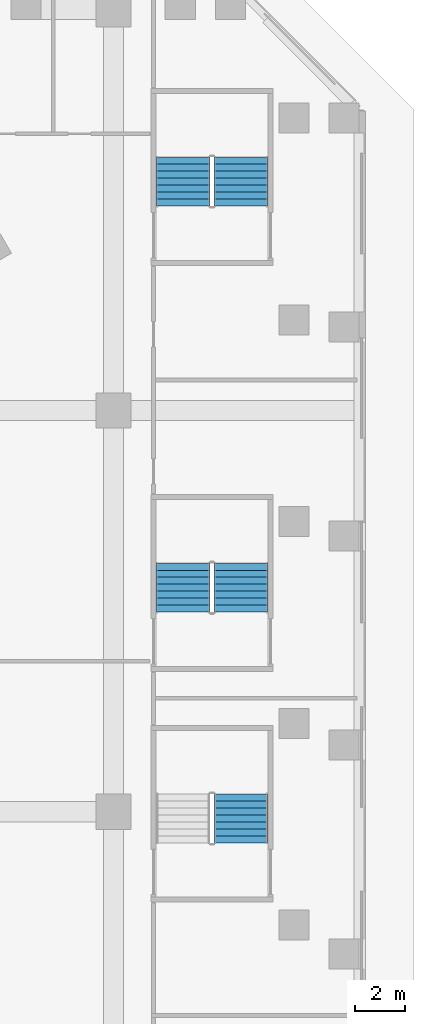
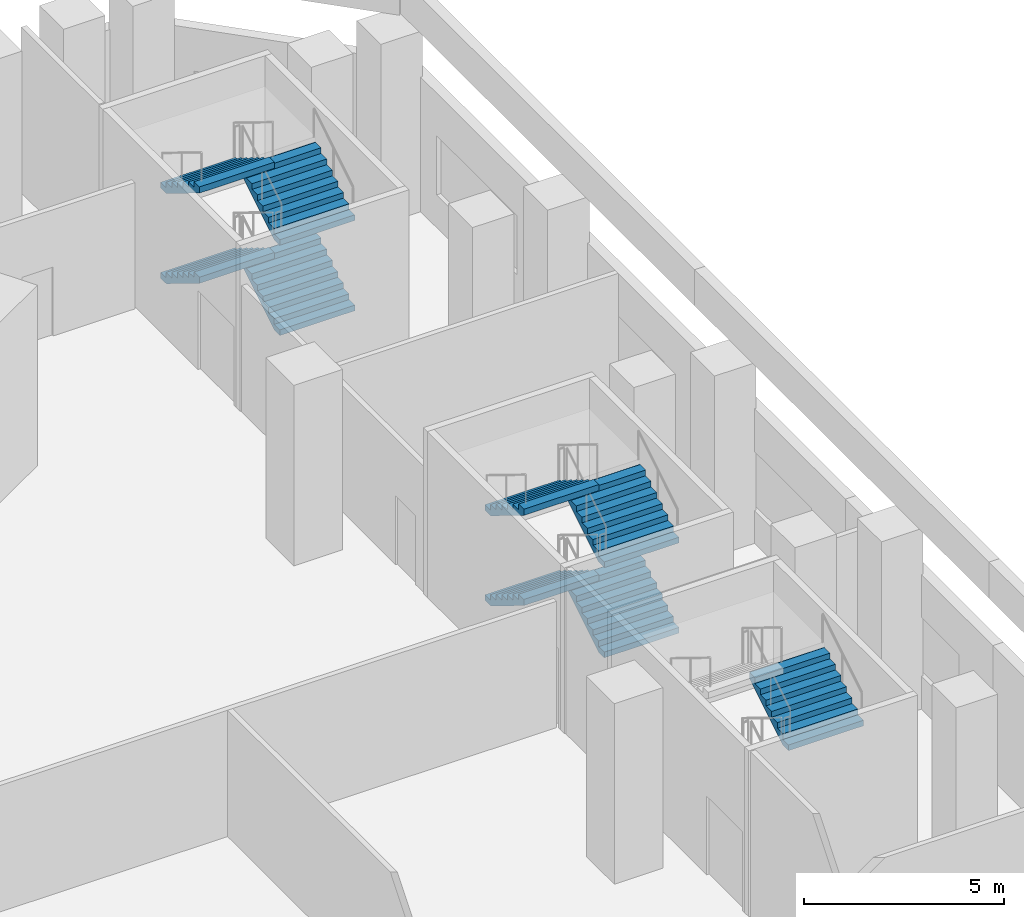
# One storey, part 17 of 22: 9 stair flights, 3 elements without a shape of their own.
"""IFC4 building model written with IfcOpenShell, lengths in metres."""

from ifc_helpers import new_model, si_unit, direction, frame, origin, place, context, subcontext, project, spatial, faceted_brep, source, transform, mapped, material, type_object, element, aggregate, save


model = new_model("IFC4")

# Units and contexts
model_context = context("Model", 3, precision=1e-05, world=origin(), true_north=direction((0.0, 1.0)))
body_context = subcontext(model_context, "Body", "Model", "MODEL_VIEW")
ifc_project = project(units=[si_unit("LENGTHUNIT", "METRE"), si_unit("AREAUNIT", "SQUARE_METRE"), si_unit("VOLUMEUNIT", "CUBIC_METRE"), si_unit("PLANEANGLEUNIT", "RADIAN"), si_unit("MASSUNIT", "GRAM", prefix="KILO")], contexts=[model_context])

# Site, building, storey
site_placement = place(None, origin())
site = spatial("IfcSite", under=ifc_project, at=site_placement, CompositionType="ELEMENT")
building_placement = place(site_placement, origin())
building = spatial("IfcBuilding", under=site, at=building_placement, Name="Calabash Gate Tower", CompositionType="ELEMENT")
storey_placement = place(building_placement, frame((0.0, 0.0, 34.5)))
storey = spatial("IfcBuildingStorey", under=building, at=storey_placement, Name="L04", CompositionType="ELEMENT", Elevation=34.5)

# Stair, stair flight
ifc_material_1 = material(Name="Concrete C40/50", Category="concrete")
stair_type = type_object("IfcStairType", Name="Public stair 32 risers of 171.9 mm", PredefinedType="HALF_TURN_STAIR", material=ifc_material_1)
stair_1_placement = place(storey_placement, origin())
stair_1 = element("IfcStair", 1, at=stair_1_placement, inside=storey, type_object=stair_type, Name="L04 Public Stair PS8", PredefinedType="HALF_TURN_STAIR")
ifc_material_2 = material(Name="Concrete C40/50", Category="concrete")
stair_flight_type = type_object("IfcStairFlightType", Name="Exit stair flight SFL", PredefinedType="STRAIGHT", material=ifc_material_2)
shared_shape = source(origin(), body_context, "Body", "Brep", [
    faceted_brep([(-0.0009765625, -1.080078125, 0.0), (0.285888671875, -1.080078125, 0.0), (1.9541015625, -1.080078125, 1.027099609375), (-0.0009765625, 1.080078125, 0.0), (1.9541015625, 1.080078125, 1.027099609375), (0.285888671875, 1.080078125, 0.0), (1.9541015625, -1.080078125, 1.215087890625), (1.952880859375, -1.080078125, 1.215087890625), (1.952880859375, 1.080078125, 1.215087890625), (1.9541015625, 1.080078125, 1.215087890625), (1.952880859375, -1.080078125, 1.203125), (1.952880859375, 1.080078125, 1.203125), (1.674072265625, -1.080078125, 1.203125), (1.674072265625, 1.080078125, 1.203125), (1.674072265625, -1.080078125, 1.03125), (1.674072265625, 1.080078125, 1.03125), (1.39501953125, -1.080078125, 1.03125), (1.39501953125, 1.080078125, 1.03125), (1.39501953125, -1.080078125, 0.859375), (1.39501953125, 1.080078125, 0.859375), (1.115966796875, -1.080078125, 0.859375), (1.115966796875, -1.080078125, 0.6875), (1.115966796875, 1.080078125, 0.6875), (1.115966796875, 1.080078125, 0.859375), (0.8369140625, -1.080078125, 0.6875), (0.8369140625, -1.080078125, 0.515625), (0.8369140625, 1.080078125, 0.515625), (0.8369140625, 1.080078125, 0.6875), (0.55810546875, -1.080078125, 0.515625), (0.55810546875, -1.080078125, 0.34375), (0.55810546875, 1.080078125, 0.34375), (0.55810546875, 1.080078125, 0.515625), (0.279052734375, -1.080078125, 0.34375), (0.279052734375, -1.080078125, 0.171875), (0.279052734375, 1.080078125, 0.171875), (0.279052734375, 1.080078125, 0.34375), (-0.0009765625, -1.080078125, 0.171875), (-0.0009765625, 1.080078125, 0.171875), (0.285888671875, -0.431884765625, 0.0), (1.9541015625, -0.431884765625, 1.027099609375), (0.285888671875, -0.370361328125, 0.0), (1.9541015625, -0.370361328125, 1.027099609375), (0.285888671875, -0.30859375, 0.0), (1.9541015625, -0.30859375, 1.027099609375), (0.285888671875, -0.246826171875, 0.0), (1.9541015625, -0.246826171875, 1.027099609375), (0.285888671875, -0.18505859375, 0.0), (1.9541015625, -0.18505859375, 1.027099609375), (0.285888671875, -0.12353515625, 0.0), (1.9541015625, -0.12353515625, 1.027099609375), (0.285888671875, -0.061767578125, 0.0), (1.9541015625, -0.061767578125, 1.027099609375), (0.285888671875, 0.0, 0.0), (1.9541015625, 0.0, 1.027099609375), (0.285888671875, 0.061767578125, 0.0), (1.9541015625, 0.061767578125, 1.027099609375), (0.285888671875, 0.12353515625, 0.0), (1.9541015625, 0.12353515625, 1.027099609375), (0.285888671875, 0.18505859375, 0.0), (1.9541015625, 0.18505859375, 1.027099609375), (0.285888671875, 0.246826171875, 0.0), (1.9541015625, 0.246826171875, 1.027099609375), (0.285888671875, 0.30859375, 0.0), (1.9541015625, 0.30859375, 1.027099609375), (0.285888671875, 0.370361328125, 0.0), (1.9541015625, 0.370361328125, 1.027099609375), (0.285888671875, 0.431884765625, 0.0), (1.9541015625, 0.431884765625, 1.027099609375), (1.9541015625, -0.431884765625, 1.215087890625), (1.9541015625, -0.370361328125, 1.215087890625), (1.9541015625, -0.30859375, 1.215087890625), (1.9541015625, -0.246826171875, 1.215087890625), (1.9541015625, -0.18505859375, 1.215087890625), (1.9541015625, -0.12353515625, 1.215087890625), (1.9541015625, -0.061767578125, 1.215087890625), (1.9541015625, 0.0, 1.215087890625), (1.9541015625, 0.061767578125, 1.215087890625), (1.9541015625, 0.12353515625, 1.215087890625), (1.9541015625, 0.18505859375, 1.215087890625), (1.9541015625, 0.246826171875, 1.215087890625), (1.9541015625, 0.30859375, 1.215087890625), (1.9541015625, 0.370361328125, 1.215087890625), (1.9541015625, 0.431884765625, 1.215087890625), (1.952880859375, -0.431884765625, 1.215087890625), (1.952880859375, -0.370361328125, 1.215087890625), (1.952880859375, -0.30859375, 1.215087890625), (1.952880859375, -0.246826171875, 1.215087890625), (1.952880859375, -0.18505859375, 1.215087890625), (1.952880859375, -0.12353515625, 1.215087890625), (1.952880859375, -0.061767578125, 1.215087890625), (1.952880859375, 0.0, 1.215087890625), (1.952880859375, 0.061767578125, 1.215087890625), (1.952880859375, 0.12353515625, 1.215087890625), (1.952880859375, 0.18505859375, 1.215087890625), (1.952880859375, 0.246826171875, 1.215087890625), (1.952880859375, 0.30859375, 1.215087890625), (1.952880859375, 0.370361328125, 1.215087890625), (1.952880859375, 0.431884765625, 1.215087890625), (1.952880859375, -0.431884765625, 1.203125), (1.952880859375, -0.370361328125, 1.203125), (1.952880859375, -0.30859375, 1.203125), (1.952880859375, -0.246826171875, 1.203125), (1.952880859375, -0.18505859375, 1.203125), (1.952880859375, -0.12353515625, 1.203125), (1.952880859375, -0.061767578125, 1.203125), (1.952880859375, 0.0, 1.203125), (1.952880859375, 0.061767578125, 1.203125), (1.952880859375, 0.12353515625, 1.203125), (1.952880859375, 0.18505859375, 1.203125), (1.952880859375, 0.246826171875, 1.203125), (1.952880859375, 0.30859375, 1.203125), (1.952880859375, 0.370361328125, 1.203125), (1.952880859375, 0.431884765625, 1.203125), (1.674072265625, -0.431884765625, 1.203125), (1.674072265625, -0.370361328125, 1.203125), (1.674072265625, -0.30859375, 1.203125), (1.674072265625, -0.246826171875, 1.203125), (1.674072265625, -0.18505859375, 1.203125), (1.674072265625, -0.12353515625, 1.203125), (1.674072265625, -0.061767578125, 1.203125), (1.674072265625, 0.0, 1.203125), (1.674072265625, 0.061767578125, 1.203125), (1.674072265625, 0.12353515625, 1.203125), (1.674072265625, 0.18505859375, 1.203125), (1.674072265625, 0.246826171875, 1.203125), (1.674072265625, 0.30859375, 1.203125), (1.674072265625, 0.370361328125, 1.203125), (1.674072265625, 0.431884765625, 1.203125), (1.674072265625, -0.431884765625, 1.03125), (1.674072265625, -0.370361328125, 1.03125), (1.674072265625, -0.30859375, 1.03125), (1.674072265625, -0.246826171875, 1.03125), (1.674072265625, -0.18505859375, 1.03125), (1.674072265625, -0.12353515625, 1.03125), (1.674072265625, -0.061767578125, 1.03125), (1.674072265625, 0.0, 1.03125), (1.674072265625, 0.061767578125, 1.03125), (1.674072265625, 0.12353515625, 1.03125), (1.674072265625, 0.18505859375, 1.03125), (1.674072265625, 0.246826171875, 1.03125), (1.674072265625, 0.30859375, 1.03125), (1.674072265625, 0.370361328125, 1.03125), (1.674072265625, 0.431884765625, 1.03125), (1.39501953125, -0.431884765625, 1.03125), (1.39501953125, -0.370361328125, 1.03125), (1.39501953125, -0.30859375, 1.03125), (1.39501953125, -0.246826171875, 1.03125), (1.39501953125, -0.18505859375, 1.03125), (1.39501953125, -0.12353515625, 1.03125), (1.39501953125, -0.061767578125, 1.03125), (1.39501953125, 0.0, 1.03125), (1.39501953125, 0.061767578125, 1.03125), (1.39501953125, 0.12353515625, 1.03125), (1.39501953125, 0.18505859375, 1.03125), (1.39501953125, 0.246826171875, 1.03125), (1.39501953125, 0.30859375, 1.03125), (1.39501953125, 0.370361328125, 1.03125), (1.39501953125, 0.431884765625, 1.03125), (1.39501953125, -0.431884765625, 0.859375), (1.39501953125, -0.370361328125, 0.859375), (1.39501953125, -0.30859375, 0.859375), (1.39501953125, -0.246826171875, 0.859375), (1.39501953125, -0.18505859375, 0.859375), (1.39501953125, -0.12353515625, 0.859375), (1.39501953125, -0.061767578125, 0.859375), (1.39501953125, 0.0, 0.859375), (1.39501953125, 0.061767578125, 0.859375), (1.39501953125, 0.12353515625, 0.859375), (1.39501953125, 0.18505859375, 0.859375), (1.39501953125, 0.246826171875, 0.859375), (1.39501953125, 0.30859375, 0.859375), (1.39501953125, 0.370361328125, 0.859375), (1.39501953125, 0.431884765625, 0.859375), (1.115966796875, -0.431884765625, 0.859375), (1.115966796875, -0.370361328125, 0.859375), (1.115966796875, -0.30859375, 0.859375), (1.115966796875, -0.246826171875, 0.859375), (1.115966796875, -0.18505859375, 0.859375), (1.115966796875, -0.12353515625, 0.859375), (1.115966796875, -0.061767578125, 0.859375), (1.115966796875, 0.0, 0.859375), (1.115966796875, 0.061767578125, 0.859375), (1.115966796875, 0.12353515625, 0.859375), (1.115966796875, 0.18505859375, 0.859375), (1.115966796875, 0.246826171875, 0.859375), (1.115966796875, 0.30859375, 0.859375), (1.115966796875, 0.370361328125, 0.859375), (1.115966796875, 0.431884765625, 0.859375), (1.115966796875, -0.431884765625, 0.6875), (1.115966796875, -0.370361328125, 0.6875), (1.115966796875, -0.30859375, 0.6875), (1.115966796875, -0.246826171875, 0.6875), (1.115966796875, -0.18505859375, 0.6875), (1.115966796875, -0.12353515625, 0.6875), (1.115966796875, -0.061767578125, 0.6875), (1.115966796875, 0.0, 0.6875), (1.115966796875, 0.061767578125, 0.6875), (1.115966796875, 0.12353515625, 0.6875), (1.115966796875, 0.18505859375, 0.6875), (1.115966796875, 0.246826171875, 0.6875), (1.115966796875, 0.30859375, 0.6875), (1.115966796875, 0.370361328125, 0.6875), (1.115966796875, 0.431884765625, 0.6875), (0.8369140625, -0.431884765625, 0.6875), (0.8369140625, -0.370361328125, 0.6875), (0.8369140625, -0.30859375, 0.6875), (0.8369140625, -0.246826171875, 0.6875), (0.8369140625, -0.18505859375, 0.6875), (0.8369140625, -0.12353515625, 0.6875), (0.8369140625, -0.061767578125, 0.6875), (0.8369140625, 0.0, 0.6875), (0.8369140625, 0.061767578125, 0.6875), (0.8369140625, 0.12353515625, 0.6875), (0.8369140625, 0.18505859375, 0.6875), (0.8369140625, 0.246826171875, 0.6875), (0.8369140625, 0.30859375, 0.6875), (0.8369140625, 0.370361328125, 0.6875), (0.8369140625, 0.431884765625, 0.6875), (0.8369140625, -0.431884765625, 0.515625), (0.8369140625, -0.370361328125, 0.515625), (0.8369140625, -0.30859375, 0.515625), (0.8369140625, -0.246826171875, 0.515625), (0.8369140625, -0.18505859375, 0.515625), (0.8369140625, -0.12353515625, 0.515625), (0.8369140625, -0.061767578125, 0.515625), (0.8369140625, 0.0, 0.515625), (0.8369140625, 0.061767578125, 0.515625), (0.8369140625, 0.12353515625, 0.515625), (0.8369140625, 0.18505859375, 0.515625), (0.8369140625, 0.246826171875, 0.515625), (0.8369140625, 0.30859375, 0.515625), (0.8369140625, 0.370361328125, 0.515625), (0.8369140625, 0.431884765625, 0.515625), (0.55810546875, -0.431884765625, 0.515625), (0.55810546875, -0.370361328125, 0.515625), (0.55810546875, -0.30859375, 0.515625), (0.55810546875, -0.246826171875, 0.515625), (0.55810546875, -0.18505859375, 0.515625), (0.55810546875, -0.12353515625, 0.515625), (0.55810546875, -0.061767578125, 0.515625), (0.55810546875, 0.0, 0.515625), (0.55810546875, 0.061767578125, 0.515625), (0.55810546875, 0.12353515625, 0.515625), (0.55810546875, 0.18505859375, 0.515625), (0.55810546875, 0.246826171875, 0.515625), (0.55810546875, 0.30859375, 0.515625), (0.55810546875, 0.370361328125, 0.515625), (0.55810546875, 0.431884765625, 0.515625), (0.55810546875, -0.431884765625, 0.34375), (0.55810546875, -0.370361328125, 0.34375), (0.55810546875, -0.30859375, 0.34375), (0.55810546875, -0.246826171875, 0.34375), (0.55810546875, -0.18505859375, 0.34375), (0.55810546875, -0.12353515625, 0.34375), (0.55810546875, -0.061767578125, 0.34375), (0.55810546875, 0.0, 0.34375), (0.55810546875, 0.061767578125, 0.34375), (0.55810546875, 0.12353515625, 0.34375), (0.55810546875, 0.18505859375, 0.34375), (0.55810546875, 0.246826171875, 0.34375), (0.55810546875, 0.30859375, 0.34375), (0.55810546875, 0.370361328125, 0.34375), (0.55810546875, 0.431884765625, 0.34375), (0.279052734375, -0.431884765625, 0.34375), (0.279052734375, -0.370361328125, 0.34375), (0.279052734375, -0.30859375, 0.34375), (0.279052734375, -0.246826171875, 0.34375), (0.279052734375, -0.18505859375, 0.34375), (0.279052734375, -0.12353515625, 0.34375), (0.279052734375, -0.061767578125, 0.34375), (0.279052734375, 0.0, 0.34375), (0.279052734375, 0.061767578125, 0.34375), (0.279052734375, 0.12353515625, 0.34375), (0.279052734375, 0.18505859375, 0.34375), (0.279052734375, 0.246826171875, 0.34375), (0.279052734375, 0.30859375, 0.34375), (0.279052734375, 0.370361328125, 0.34375), (0.279052734375, 0.431884765625, 0.34375), (0.279052734375, -0.431884765625, 0.171875), (0.279052734375, -0.370361328125, 0.171875), (0.279052734375, -0.30859375, 0.171875), (0.279052734375, -0.246826171875, 0.171875), (0.279052734375, -0.18505859375, 0.171875), (0.279052734375, -0.12353515625, 0.171875), (0.279052734375, -0.061767578125, 0.171875), (0.279052734375, 0.0, 0.171875), (0.279052734375, 0.061767578125, 0.171875), (0.279052734375, 0.12353515625, 0.171875), (0.279052734375, 0.18505859375, 0.171875), (0.279052734375, 0.246826171875, 0.171875), (0.279052734375, 0.30859375, 0.171875), (0.279052734375, 0.370361328125, 0.171875), (0.279052734375, 0.431884765625, 0.171875), (-0.0009765625, -0.431884765625, 0.171875), (-0.0009765625, -0.370361328125, 0.171875), (-0.0009765625, -0.30859375, 0.171875), (-0.0009765625, -0.246826171875, 0.171875), (-0.0009765625, -0.18505859375, 0.171875), (-0.0009765625, -0.12353515625, 0.171875), (-0.0009765625, -0.061767578125, 0.171875), (-0.0009765625, 0.0, 0.171875), (-0.0009765625, 0.061767578125, 0.171875), (-0.0009765625, 0.12353515625, 0.171875), (-0.0009765625, 0.18505859375, 0.171875), (-0.0009765625, 0.246826171875, 0.171875), (-0.0009765625, 0.30859375, 0.171875), (-0.0009765625, 0.370361328125, 0.171875), (-0.0009765625, 0.431884765625, 0.171875), (-0.0009765625, -0.431884765625, 0.0), (-0.0009765625, -0.370361328125, 0.0), (-0.0009765625, -0.30859375, 0.0), (-0.0009765625, -0.246826171875, 0.0), (-0.0009765625, -0.18505859375, 0.0), (-0.0009765625, -0.12353515625, 0.0), (-0.0009765625, -0.061767578125, 0.0), (-0.0009765625, 0.0, 0.0), (-0.0009765625, 0.061767578125, 0.0), (-0.0009765625, 0.12353515625, 0.0), (-0.0009765625, 0.18505859375, 0.0), (-0.0009765625, 0.246826171875, 0.0), (-0.0009765625, 0.30859375, 0.0), (-0.0009765625, 0.370361328125, 0.0), (-0.0009765625, 0.431884765625, 0.0)], [[[0, 1, 2]], [[3, 4, 5]], [[2, 6, 7]], [[4, 8, 9]], [[2, 7, 10]], [[4, 11, 8]], [[2, 10, 12]], [[4, 13, 11]], [[2, 12, 14]], [[4, 15, 13]], [[2, 14, 16]], [[4, 17, 15]], [[2, 16, 18]], [[4, 19, 17]], [[18, 20, 21]], [[19, 22, 23]], [[2, 18, 21]], [[4, 22, 19]], [[21, 24, 25]], [[22, 26, 27]], [[2, 21, 25]], [[4, 26, 22]], [[25, 28, 29]], [[26, 30, 31]], [[2, 25, 29]], [[4, 30, 26]], [[29, 32, 33]], [[30, 34, 35]], [[2, 29, 33]], [[4, 34, 30]], [[0, 2, 33]], [[3, 34, 4]], [[33, 36, 0]], [[34, 3, 37]], [[1, 38, 2]], [[38, 39, 2]], [[38, 40, 39]], [[40, 41, 39]], [[40, 42, 41]], [[42, 43, 41]], [[42, 44, 43]], [[44, 45, 43]], [[44, 46, 45]], [[46, 47, 45]], [[46, 48, 47]], [[48, 49, 47]], [[48, 50, 49]], [[50, 51, 49]], [[50, 52, 51]], [[52, 53, 51]], [[52, 54, 55]], [[52, 55, 53]], [[54, 56, 57]], [[54, 57, 55]], [[56, 58, 59]], [[56, 59, 57]], [[58, 60, 61]], [[58, 61, 59]], [[60, 62, 63]], [[60, 63, 61]], [[62, 64, 65]], [[62, 65, 63]], [[64, 66, 67]], [[64, 67, 65]], [[66, 5, 4]], [[66, 4, 67]], [[2, 39, 6]], [[39, 68, 6]], [[39, 41, 68]], [[41, 69, 68]], [[41, 43, 69]], [[43, 70, 69]], [[43, 45, 70]], [[45, 71, 70]], [[45, 47, 71]], [[47, 72, 71]], [[47, 49, 72]], [[49, 73, 72]], [[49, 51, 73]], [[51, 74, 73]], [[51, 53, 74]], [[53, 75, 74]], [[53, 55, 76]], [[53, 76, 75]], [[55, 57, 77]], [[55, 77, 76]], [[57, 59, 78]], [[57, 78, 77]], [[59, 61, 79]], [[59, 79, 78]], [[61, 63, 80]], [[61, 80, 79]], [[63, 65, 81]], [[63, 81, 80]], [[65, 67, 82]], [[65, 82, 81]], [[67, 4, 9]], [[67, 9, 82]], [[6, 68, 7]], [[68, 83, 7]], [[68, 69, 83]], [[69, 84, 83]], [[69, 70, 84]], [[70, 85, 84]], [[70, 71, 85]], [[71, 86, 85]], [[71, 72, 86]], [[72, 87, 86]], [[72, 73, 87]], [[73, 88, 87]], [[73, 74, 88]], [[74, 89, 88]], [[74, 75, 89]], [[75, 90, 89]], [[75, 76, 91]], [[75, 91, 90]], [[76, 77, 92]], [[76, 92, 91]], [[77, 78, 93]], [[77, 93, 92]], [[78, 79, 94]], [[78, 94, 93]], [[79, 80, 95]], [[79, 95, 94]], [[80, 81, 96]], [[80, 96, 95]], [[81, 82, 97]], [[81, 97, 96]], [[82, 9, 8]], [[82, 8, 97]], [[7, 83, 10]], [[83, 98, 10]], [[83, 84, 98]], [[84, 99, 98]], [[84, 85, 99]], [[85, 100, 99]], [[85, 86, 100]], [[86, 101, 100]], [[86, 87, 101]], [[87, 102, 101]], [[87, 88, 102]], [[88, 103, 102]], [[88, 89, 103]], [[89, 104, 103]], [[89, 90, 104]], [[90, 105, 104]], [[90, 91, 106]], [[90, 106, 105]], [[91, 92, 107]], [[91, 107, 106]], [[92, 93, 108]], [[92, 108, 107]], [[93, 94, 109]], [[93, 109, 108]], [[94, 95, 110]], [[94, 110, 109]], [[95, 96, 111]], [[95, 111, 110]], [[96, 97, 112]], [[96, 112, 111]], [[97, 8, 11]], [[97, 11, 112]], [[10, 98, 12]], [[98, 113, 12]], [[98, 99, 113]], [[99, 114, 113]], [[99, 100, 114]], [[100, 115, 114]], [[100, 101, 115]], [[101, 116, 115]], [[101, 102, 116]], [[102, 117, 116]], [[102, 103, 117]], [[103, 118, 117]], [[103, 104, 118]], [[104, 119, 118]], [[104, 105, 119]], [[105, 120, 119]], [[105, 106, 121]], [[105, 121, 120]], [[106, 107, 122]], [[106, 122, 121]], [[107, 108, 123]], [[107, 123, 122]], [[108, 109, 124]], [[108, 124, 123]], [[109, 110, 125]], [[109, 125, 124]], [[110, 111, 126]], [[110, 126, 125]], [[111, 112, 127]], [[111, 127, 126]], [[112, 11, 13]], [[112, 13, 127]], [[12, 113, 14]], [[113, 128, 14]], [[113, 114, 128]], [[114, 129, 128]], [[114, 115, 129]], [[115, 130, 129]], [[115, 116, 130]], [[116, 131, 130]], [[116, 117, 131]], [[117, 132, 131]], [[117, 118, 132]], [[118, 133, 132]], [[118, 119, 133]], [[119, 134, 133]], [[119, 120, 134]], [[120, 135, 134]], [[120, 121, 136]], [[120, 136, 135]], [[121, 122, 137]], [[121, 137, 136]], [[122, 123, 138]], [[122, 138, 137]], [[123, 124, 139]], [[123, 139, 138]], [[124, 125, 140]], [[124, 140, 139]], [[125, 126, 141]], [[125, 141, 140]], [[126, 127, 142]], [[126, 142, 141]], [[127, 13, 15]], [[127, 15, 142]], [[14, 128, 16]], [[128, 143, 16]], [[128, 129, 143]], [[129, 144, 143]], [[129, 130, 144]], [[130, 145, 144]], [[130, 131, 145]], [[131, 146, 145]], [[131, 132, 146]], [[132, 147, 146]], [[132, 133, 147]], [[133, 148, 147]], [[133, 134, 148]], [[134, 149, 148]], [[134, 135, 149]], [[135, 150, 149]], [[135, 136, 151]], [[135, 151, 150]], [[136, 137, 152]], [[136, 152, 151]], [[137, 138, 153]], [[137, 153, 152]], [[138, 139, 154]], [[138, 154, 153]], [[139, 140, 155]], [[139, 155, 154]], [[140, 141, 156]], [[140, 156, 155]], [[141, 142, 157]], [[141, 157, 156]], [[142, 15, 17]], [[142, 17, 157]], [[16, 143, 18]], [[143, 158, 18]], [[143, 144, 158]], [[144, 159, 158]], [[144, 145, 159]], [[145, 160, 159]], [[145, 146, 160]], [[146, 161, 160]], [[146, 147, 161]], [[147, 162, 161]], [[147, 148, 162]], [[148, 163, 162]], [[148, 149, 163]], [[149, 164, 163]], [[149, 150, 164]], [[150, 165, 164]], [[150, 151, 166]], [[150, 166, 165]], [[151, 152, 167]], [[151, 167, 166]], [[152, 153, 168]], [[152, 168, 167]], [[153, 154, 169]], [[153, 169, 168]], [[154, 155, 170]], [[154, 170, 169]], [[155, 156, 171]], [[155, 171, 170]], [[156, 157, 172]], [[156, 172, 171]], [[157, 17, 19]], [[157, 19, 172]], [[18, 158, 20]], [[158, 173, 20]], [[158, 159, 173]], [[159, 174, 173]], [[159, 160, 174]], [[160, 175, 174]], [[160, 161, 175]], [[161, 176, 175]], [[161, 162, 176]], [[162, 177, 176]], [[162, 163, 177]], [[163, 178, 177]], [[163, 164, 178]], [[164, 179, 178]], [[164, 165, 179]], [[165, 180, 179]], [[165, 166, 181]], [[165, 181, 180]], [[166, 167, 182]], [[166, 182, 181]], [[167, 168, 183]], [[167, 183, 182]], [[168, 169, 184]], [[168, 184, 183]], [[169, 170, 185]], [[169, 185, 184]], [[170, 171, 186]], [[170, 186, 185]], [[171, 172, 187]], [[171, 187, 186]], [[172, 19, 23]], [[172, 23, 187]], [[20, 173, 21]], [[173, 188, 21]], [[173, 174, 188]], [[174, 189, 188]], [[174, 175, 189]], [[175, 190, 189]], [[175, 176, 190]], [[176, 191, 190]], [[176, 177, 191]], [[177, 192, 191]], [[177, 178, 192]], [[178, 193, 192]], [[178, 179, 193]], [[179, 194, 193]], [[179, 180, 194]], [[180, 195, 194]], [[180, 181, 196]], [[180, 196, 195]], [[181, 182, 197]], [[181, 197, 196]], [[182, 183, 198]], [[182, 198, 197]], [[183, 184, 199]], [[183, 199, 198]], [[184, 185, 200]], [[184, 200, 199]], [[185, 186, 201]], [[185, 201, 200]], [[186, 187, 202]], [[186, 202, 201]], [[187, 23, 22]], [[187, 22, 202]], [[21, 188, 24]], [[188, 203, 24]], [[188, 189, 203]], [[189, 204, 203]], [[189, 190, 204]], [[190, 205, 204]], [[190, 191, 205]], [[191, 206, 205]], [[191, 192, 206]], [[192, 207, 206]], [[192, 193, 207]], [[193, 208, 207]], [[193, 194, 208]], [[194, 209, 208]], [[194, 195, 209]], [[195, 210, 209]], [[195, 196, 211]], [[195, 211, 210]], [[196, 197, 212]], [[196, 212, 211]], [[197, 198, 213]], [[197, 213, 212]], [[198, 199, 214]], [[198, 214, 213]], [[199, 200, 215]], [[199, 215, 214]], [[200, 201, 216]], [[200, 216, 215]], [[201, 202, 217]], [[201, 217, 216]], [[202, 22, 27]], [[202, 27, 217]], [[24, 203, 25]], [[203, 218, 25]], [[203, 204, 218]], [[204, 219, 218]], [[204, 205, 219]], [[205, 220, 219]], [[205, 206, 220]], [[206, 221, 220]], [[206, 207, 221]], [[207, 222, 221]], [[207, 208, 222]], [[208, 223, 222]], [[208, 209, 223]], [[209, 224, 223]], [[209, 210, 224]], [[210, 225, 224]], [[210, 211, 226]], [[210, 226, 225]], [[211, 212, 227]], [[211, 227, 226]], [[212, 213, 228]], [[212, 228, 227]], [[213, 214, 229]], [[213, 229, 228]], [[214, 215, 230]], [[214, 230, 229]], [[215, 216, 231]], [[215, 231, 230]], [[216, 217, 232]], [[216, 232, 231]], [[217, 27, 26]], [[217, 26, 232]], [[25, 218, 28]], [[218, 233, 28]], [[218, 219, 233]], [[219, 234, 233]], [[219, 220, 234]], [[220, 235, 234]], [[220, 221, 235]], [[221, 236, 235]], [[221, 222, 236]], [[222, 237, 236]], [[222, 223, 237]], [[223, 238, 237]], [[223, 224, 238]], [[224, 239, 238]], [[224, 225, 239]], [[225, 240, 239]], [[225, 226, 241]], [[225, 241, 240]], [[226, 227, 242]], [[226, 242, 241]], [[227, 228, 243]], [[227, 243, 242]], [[228, 229, 244]], [[228, 244, 243]], [[229, 230, 245]], [[229, 245, 244]], [[230, 231, 246]], [[230, 246, 245]], [[231, 232, 247]], [[231, 247, 246]], [[232, 26, 31]], [[232, 31, 247]], [[28, 233, 29]], [[233, 248, 29]], [[233, 234, 248]], [[234, 249, 248]], [[234, 235, 249]], [[235, 250, 249]], [[235, 236, 250]], [[236, 251, 250]], [[236, 237, 251]], [[237, 252, 251]], [[237, 238, 252]], [[238, 253, 252]], [[238, 239, 253]], [[239, 254, 253]], [[239, 240, 254]], [[240, 255, 254]], [[240, 241, 256]], [[240, 256, 255]], [[241, 242, 257]], [[241, 257, 256]], [[242, 243, 258]], [[242, 258, 257]], [[243, 244, 259]], [[243, 259, 258]], [[244, 245, 260]], [[244, 260, 259]], [[245, 246, 261]], [[245, 261, 260]], [[246, 247, 262]], [[246, 262, 261]], [[247, 31, 30]], [[247, 30, 262]], [[29, 248, 32]], [[248, 263, 32]], [[248, 249, 263]], [[249, 264, 263]], [[249, 250, 264]], [[250, 265, 264]], [[250, 251, 265]], [[251, 266, 265]], [[251, 252, 266]], [[252, 267, 266]], [[252, 253, 267]], [[253, 268, 267]], [[253, 254, 268]], [[254, 269, 268]], [[254, 255, 269]], [[255, 270, 269]], [[255, 256, 271]], [[255, 271, 270]], [[256, 257, 272]], [[256, 272, 271]], [[257, 258, 273]], [[257, 273, 272]], [[258, 259, 274]], [[258, 274, 273]], [[259, 260, 275]], [[259, 275, 274]], [[260, 261, 276]], [[260, 276, 275]], [[261, 262, 277]], [[261, 277, 276]], [[262, 30, 35]], [[262, 35, 277]], [[32, 263, 33]], [[263, 278, 33]], [[263, 264, 278]], [[264, 279, 278]], [[264, 265, 279]], [[265, 280, 279]], [[265, 266, 280]], [[266, 281, 280]], [[266, 267, 281]], [[267, 282, 281]], [[267, 268, 282]], [[268, 283, 282]], [[268, 269, 283]], [[269, 284, 283]], [[269, 270, 284]], [[270, 285, 284]], [[270, 271, 286]], [[270, 286, 285]], [[271, 272, 287]], [[271, 287, 286]], [[272, 273, 288]], [[272, 288, 287]], [[273, 274, 289]], [[273, 289, 288]], [[274, 275, 290]], [[274, 290, 289]], [[275, 276, 291]], [[275, 291, 290]], [[276, 277, 292]], [[276, 292, 291]], [[277, 35, 34]], [[277, 34, 292]], [[33, 278, 36]], [[278, 293, 36]], [[278, 279, 293]], [[279, 294, 293]], [[279, 280, 294]], [[280, 295, 294]], [[280, 281, 295]], [[281, 296, 295]], [[281, 282, 296]], [[282, 297, 296]], [[282, 283, 297]], [[283, 298, 297]], [[283, 284, 298]], [[284, 299, 298]], [[284, 285, 299]], [[285, 300, 299]], [[285, 286, 301]], [[285, 301, 300]], [[286, 287, 302]], [[286, 302, 301]], [[287, 288, 303]], [[287, 303, 302]], [[288, 289, 304]], [[288, 304, 303]], [[289, 290, 305]], [[289, 305, 304]], [[290, 291, 306]], [[290, 306, 305]], [[291, 292, 307]], [[291, 307, 306]], [[292, 34, 37]], [[292, 37, 307]], [[36, 293, 0]], [[293, 308, 0]], [[293, 294, 308]], [[294, 309, 308]], [[294, 295, 309]], [[295, 310, 309]], [[295, 296, 310]], [[296, 311, 310]], [[296, 297, 311]], [[297, 312, 311]], [[297, 298, 312]], [[298, 313, 312]], [[298, 299, 313]], [[299, 314, 313]], [[299, 300, 314]], [[300, 315, 314]], [[300, 301, 316]], [[300, 316, 315]], [[301, 302, 317]], [[301, 317, 316]], [[302, 303, 318]], [[302, 318, 317]], [[303, 304, 319]], [[303, 319, 318]], [[304, 305, 320]], [[304, 320, 319]], [[305, 306, 321]], [[305, 321, 320]], [[306, 307, 322]], [[306, 322, 321]], [[307, 37, 3]], [[307, 3, 322]], [[0, 308, 1]], [[308, 38, 1]], [[308, 309, 38]], [[309, 40, 38]], [[309, 310, 40]], [[310, 42, 40]], [[310, 311, 42]], [[311, 44, 42]], [[311, 312, 44]], [[312, 46, 44]], [[312, 313, 46]], [[313, 48, 46]], [[313, 314, 48]], [[314, 50, 48]], [[314, 315, 50]], [[315, 52, 50]], [[315, 316, 54]], [[315, 54, 52]], [[316, 317, 56]], [[316, 56, 54]], [[317, 318, 58]], [[317, 58, 56]], [[318, 319, 60]], [[318, 60, 58]], [[319, 320, 62]], [[319, 62, 60]], [[320, 321, 64]], [[320, 64, 62]], [[321, 322, 66]], [[321, 66, 64]], [[322, 3, 5]], [[322, 5, 66]]]),
])
stair_flight_1_placement = place(storey_placement, frame((37.090087890625, -9.239990234375, 2.75), z_axis=(0.0, 0.0, 1.0), x_axis=(0.0, 1.0, 0.0)))
stair_flight_1 = element("IfcStairFlight", 2, at=stair_flight_1_placement, type_object=stair_flight_type, Name="PS8 flight 3", NumberOfRisers=8, NumberOfTreads=7, PredefinedType="STRAIGHT", RiserHeight=0.171875, TreadLength=0.279, context=body_context, shape_type="MappedRepresentation", body=[
    mapped(shared_shape, transform((0.0, 0.0, 0.0), scale=1.0)),
])
aggregate(stair_1, [stair_flight_1])

# Stair, stair flights
stair_2_placement = place(storey_placement, origin())
stair_2 = element("IfcStair", 3, at=stair_2_placement, inside=storey, type_object=stair_type, Name="L04 Public Stair PS9", PredefinedType="HALF_TURN_STAIR")
stair_flight_2_placement = place(storey_placement, frame((37.090087890625, -0.0400390625, 0.0), z_axis=(0.0, 0.0, 1.0), x_axis=(0.0, 1.0, 0.0)))
stair_flight_2 = element("IfcStairFlight", 4, at=stair_flight_2_placement, type_object=stair_flight_type, Name="PS9 flight 1", NumberOfRisers=8, NumberOfTreads=7, PredefinedType="STRAIGHT", RiserHeight=0.171875, TreadLength=0.279, context=body_context, shape_type="MappedRepresentation", body=[
    mapped(shared_shape, transform((0.0, 0.0, 0.0), scale=1.0)),
])
stair_flight_3_placement = place(storey_placement, frame((34.780029296875, 1.9130859375, 1.375), z_axis=(0.0, 0.0, 1.0), x_axis=(0.0, -1.0, 0.0)))
stair_flight_3 = element("IfcStairFlight", 5, at=stair_flight_3_placement, type_object=stair_flight_type, Name="PS9 flight 2", NumberOfRisers=8, NumberOfTreads=7, PredefinedType="STRAIGHT", RiserHeight=0.171875, TreadLength=0.279, context=body_context, shape_type="MappedRepresentation", body=[
    mapped(shared_shape, transform((0.0, 0.0, 0.0), scale=1.0)),
])
stair_flight_4_placement = place(storey_placement, frame((37.090087890625, -0.0400390625, 2.75), z_axis=(0.0, 0.0, 1.0), x_axis=(0.0, 1.0, 0.0)))
stair_flight_4 = element("IfcStairFlight", 6, at=stair_flight_4_placement, type_object=stair_flight_type, Name="PS9 flight 3", NumberOfRisers=8, NumberOfTreads=7, PredefinedType="STRAIGHT", RiserHeight=0.171875, TreadLength=0.279, context=body_context, shape_type="MappedRepresentation", body=[
    mapped(shared_shape, transform((0.0, 0.0, 0.0), scale=1.0)),
])
stair_flight_5_placement = place(storey_placement, frame((34.780029296875, 1.9130859375, 4.125), z_axis=(0.0, 0.0, 1.0), x_axis=(0.0, -1.0, 0.0)))
stair_flight_5 = element("IfcStairFlight", 7, at=stair_flight_5_placement, type_object=stair_flight_type, Name="PS9 flight 4", NumberOfRisers=8, NumberOfTreads=7, PredefinedType="STRAIGHT", RiserHeight=0.171875, TreadLength=0.279, context=body_context, shape_type="MappedRepresentation", body=[
    mapped(shared_shape, transform((0.0, 0.0, 0.0), scale=1.0)),
])
aggregate(stair_2, [stair_flight_2, stair_flight_3, stair_flight_4, stair_flight_5])

stair_3_placement = place(storey_placement, origin())
stair_3 = element("IfcStair", 8, at=stair_3_placement, inside=storey, type_object=stair_type, Name="L04 Public Stair PS10", PredefinedType="HALF_TURN_STAIR")
stair_flight_6_placement = place(storey_placement, frame((37.090087890625, 16.159912109375, 0.0), z_axis=(0.0, 0.0, 1.0), x_axis=(0.0, 1.0, 0.0)))
stair_flight_6 = element("IfcStairFlight", 9, at=stair_flight_6_placement, type_object=stair_flight_type, Name="PS10 flight 1", NumberOfRisers=8, NumberOfTreads=7, PredefinedType="STRAIGHT", RiserHeight=0.171875, TreadLength=0.279, context=body_context, shape_type="MappedRepresentation", body=[
    mapped(shared_shape, transform((0.0, 0.0, 0.0), scale=1.0)),
])
stair_flight_7_placement = place(storey_placement, frame((34.780029296875, 18.113037109375, 1.375), z_axis=(0.0, 0.0, 1.0), x_axis=(0.0, -1.0, 0.0)))
stair_flight_7 = element("IfcStairFlight", 10, at=stair_flight_7_placement, type_object=stair_flight_type, Name="PS10 flight 2", NumberOfRisers=8, NumberOfTreads=7, PredefinedType="STRAIGHT", RiserHeight=0.171875, TreadLength=0.279, context=body_context, shape_type="MappedRepresentation", body=[
    mapped(shared_shape, transform((0.0, 0.0, 0.0), scale=1.0)),
])
stair_flight_8_placement = place(storey_placement, frame((37.090087890625, 16.159912109375, 2.75), z_axis=(0.0, 0.0, 1.0), x_axis=(0.0, 1.0, 0.0)))
stair_flight_8 = element("IfcStairFlight", 11, at=stair_flight_8_placement, type_object=stair_flight_type, Name="PS10 flight 3", NumberOfRisers=8, NumberOfTreads=7, PredefinedType="STRAIGHT", RiserHeight=0.171875, TreadLength=0.279, context=body_context, shape_type="MappedRepresentation", body=[
    mapped(shared_shape, transform((0.0, 0.0, 0.0), scale=1.0)),
])
stair_flight_9_placement = place(storey_placement, frame((34.780029296875, 18.113037109375, 4.125), z_axis=(0.0, 0.0, 1.0), x_axis=(0.0, -1.0, 0.0)))
stair_flight_9 = element("IfcStairFlight", 12, at=stair_flight_9_placement, type_object=stair_flight_type, Name="PS10 flight 4", NumberOfRisers=8, NumberOfTreads=7, PredefinedType="STRAIGHT", RiserHeight=0.171875, TreadLength=0.279, context=body_context, shape_type="MappedRepresentation", body=[
    mapped(shared_shape, transform((0.0, 0.0, 0.0), scale=1.0)),
])
aggregate(stair_3, [stair_flight_6, stair_flight_7, stair_flight_8, stair_flight_9])

save(model, "model.ifc")
